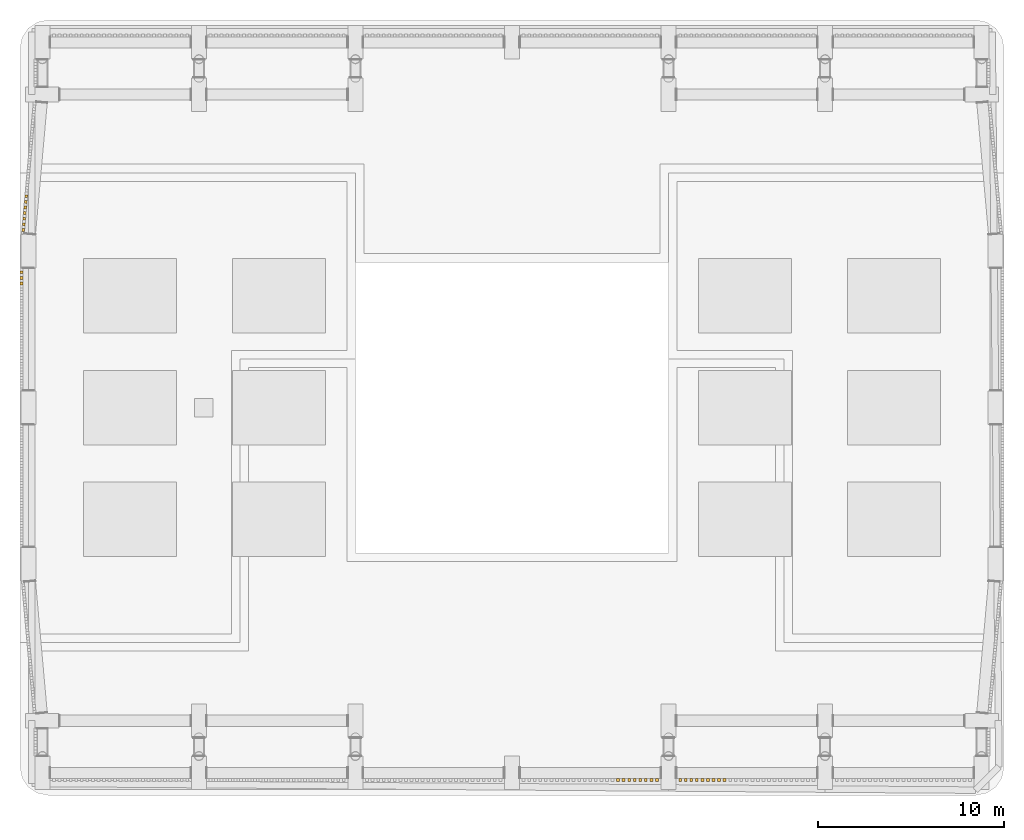
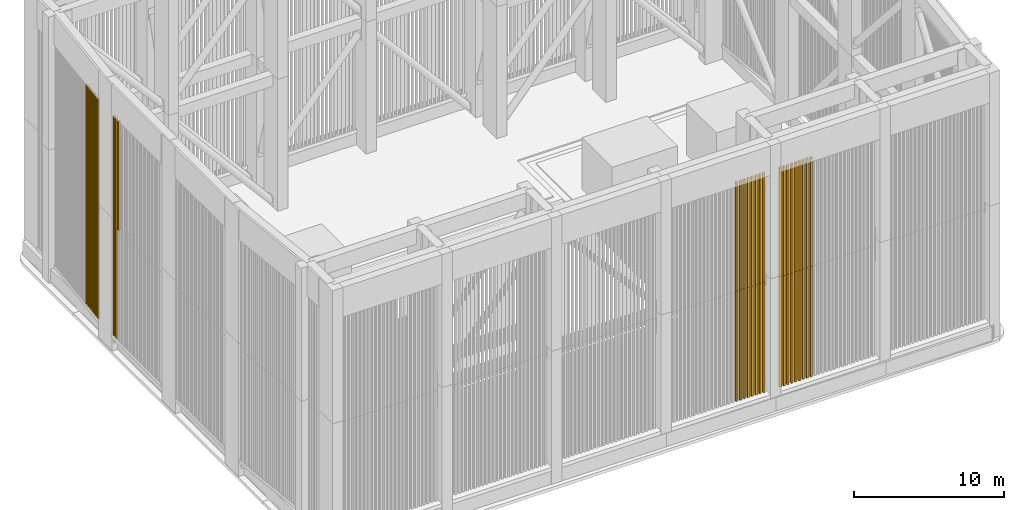
# One storey, part 15 of 27: 53 shading devices.
"""IFC4 building model written with IfcOpenShell, lengths in metres."""

from ifc_helpers import new_model, si_unit, direction, frame, origin, origin_2d, place, context, subcontext, project, spatial, rectangle, extrude, material, type_object, element, save


model = new_model("IFC4")

# Units and contexts
model_context = context("Model", 3, precision=1e-05, world=origin(), true_north=direction((0.0, 1.0)))
body_context = subcontext(model_context, "Body", "Model", "MODEL_VIEW")
ifc_project = project(units=[si_unit("LENGTHUNIT", "METRE"), si_unit("AREAUNIT", "SQUARE_METRE"), si_unit("VOLUMEUNIT", "CUBIC_METRE"), si_unit("PLANEANGLEUNIT", "RADIAN"), si_unit("MASSUNIT", "GRAM", prefix="KILO")], contexts=[model_context])

# Site, building, storey
site_placement = place(None, origin())
site = spatial("IfcSite", under=ifc_project, at=site_placement, CompositionType="ELEMENT")
building_placement = place(site_placement, origin())
building = spatial("IfcBuilding", under=site, at=building_placement, Name="Claustro Exchange Tower", CompositionType="ELEMENT")
storey_placement = place(building_placement, frame((0.0, 0.0, 287.10009765625)))
storey = spatial("IfcBuildingStorey", under=building, at=storey_placement, Name="ROOF", CompositionType="ELEMENT", Elevation=287.10009765625)

# Shading devices
ifc_material = material(Name="Concrete HA-40 (C40/50), precast, white cement, acid-etched", Category="concrete")
shading_device_type = type_object("IfcShadingDeviceType", Name="LV1 150 x 150 precast concrete crown louvre", PredefinedType="USERDEFINED", material=ifc_material)
shading_device_1_placement = place(storey_placement, frame((30.89013671875, 5.224609375, 1.39990234375), z_axis=(0.0, 0.0, 1.0), x_axis=(1.0, 0.0, 0.0)))
element("IfcShadingDevice", 1, at=shading_device_1_placement, inside=storey, type_object=shading_device_type, Name="CROWN LOUVRE LV1 4/A+5600 - 5/A+5600 18 lower", ObjectType="CROWN LOUVRE", PredefinedType="USERDEFINED", context=body_context, shape_type="SweptSolid", body=[
    extrude(rectangle(XDim=0.14990234375, YDim=0.14990234375, at=origin_2d()), origin(), (0.0, 0.0, 1.0), 8.949951171875),
])
shading_device_2_placement = place(storey_placement, frame((30.89013671875, 5.224609375, 10.349853515625), z_axis=(0.0, 0.0, 1.0), x_axis=(1.0, 0.0, 0.0)))
element("IfcShadingDevice", 2, at=shading_device_2_placement, inside=storey, type_object=shading_device_type, Name="CROWN LOUVRE LV1 4/A+5600 - 5/A+5600 18 upper", ObjectType="CROWN LOUVRE", PredefinedType="USERDEFINED", context=body_context, shape_type="SweptSolid", body=[
    extrude(rectangle(XDim=0.14990234375, YDim=0.14990234375, at=origin_2d()), origin(), (0.0, 0.0, 1.0), 8.85009765625),
])
shading_device_3_placement = place(storey_placement, frame((31.188232421875, 5.224609375, 1.39990234375), z_axis=(0.0, 0.0, 1.0), x_axis=(1.0, 0.0, 0.0)))
element("IfcShadingDevice", 3, at=shading_device_3_placement, inside=storey, type_object=shading_device_type, Name="CROWN LOUVRE LV1 4/A+5600 - 5/A+5600 19 lower", ObjectType="CROWN LOUVRE", PredefinedType="USERDEFINED", context=body_context, shape_type="SweptSolid", body=[
    extrude(rectangle(XDim=0.14990234375, YDim=0.14990234375, at=origin_2d()), origin(), (0.0, 0.0, 1.0), 8.949951171875),
])
shading_device_4_placement = place(storey_placement, frame((31.188232421875, 5.224609375, 10.349853515625), z_axis=(0.0, 0.0, 1.0), x_axis=(1.0, 0.0, 0.0)))
element("IfcShadingDevice", 4, at=shading_device_4_placement, inside=storey, type_object=shading_device_type, Name="CROWN LOUVRE LV1 4/A+5600 - 5/A+5600 19 upper", ObjectType="CROWN LOUVRE", PredefinedType="USERDEFINED", context=body_context, shape_type="SweptSolid", body=[
    extrude(rectangle(XDim=0.14990234375, YDim=0.14990234375, at=origin_2d()), origin(), (0.0, 0.0, 1.0), 8.85009765625),
])
shading_device_5_placement = place(storey_placement, frame((31.486328125, 5.224609375, 1.39990234375), z_axis=(0.0, 0.0, 1.0), x_axis=(1.0, 0.0, 0.0)))
element("IfcShadingDevice", 5, at=shading_device_5_placement, inside=storey, type_object=shading_device_type, Name="CROWN LOUVRE LV1 4/A+5600 - 5/A+5600 20 lower", ObjectType="CROWN LOUVRE", PredefinedType="USERDEFINED", context=body_context, shape_type="SweptSolid", body=[
    extrude(rectangle(XDim=0.14990234375, YDim=0.14990234375, at=origin_2d()), origin(), (0.0, 0.0, 1.0), 8.949951171875),
])
shading_device_6_placement = place(storey_placement, frame((31.486328125, 5.224609375, 10.349853515625), z_axis=(0.0, 0.0, 1.0), x_axis=(1.0, 0.0, 0.0)))
element("IfcShadingDevice", 6, at=shading_device_6_placement, inside=storey, type_object=shading_device_type, Name="CROWN LOUVRE LV1 4/A+5600 - 5/A+5600 20 upper", ObjectType="CROWN LOUVRE", PredefinedType="USERDEFINED", context=body_context, shape_type="SweptSolid", body=[
    extrude(rectangle(XDim=0.14990234375, YDim=0.14990234375, at=origin_2d()), origin(), (0.0, 0.0, 1.0), 8.85009765625),
])
shading_device_7_placement = place(storey_placement, frame((31.7841796875, 5.224609375, 1.39990234375), z_axis=(0.0, 0.0, 1.0), x_axis=(1.0, 0.0, 0.0)))
element("IfcShadingDevice", 7, at=shading_device_7_placement, inside=storey, type_object=shading_device_type, Name="CROWN LOUVRE LV1 4/A+5600 - 5/A+5600 21 lower", ObjectType="CROWN LOUVRE", PredefinedType="USERDEFINED", context=body_context, shape_type="SweptSolid", body=[
    extrude(rectangle(XDim=0.14990234375, YDim=0.14990234375, at=origin_2d()), origin(), (0.0, 0.0, 1.0), 8.949951171875),
])
shading_device_8_placement = place(storey_placement, frame((31.7841796875, 5.224609375, 10.349853515625), z_axis=(0.0, 0.0, 1.0), x_axis=(1.0, 0.0, 0.0)))
element("IfcShadingDevice", 8, at=shading_device_8_placement, inside=storey, type_object=shading_device_type, Name="CROWN LOUVRE LV1 4/A+5600 - 5/A+5600 21 upper", ObjectType="CROWN LOUVRE", PredefinedType="USERDEFINED", context=body_context, shape_type="SweptSolid", body=[
    extrude(rectangle(XDim=0.14990234375, YDim=0.14990234375, at=origin_2d()), origin(), (0.0, 0.0, 1.0), 8.85009765625),
])
shading_device_9_placement = place(storey_placement, frame((32.082275390625, 5.224609375, 1.39990234375), z_axis=(0.0, 0.0, 1.0), x_axis=(1.0, 0.0, 0.0)))
element("IfcShadingDevice", 9, at=shading_device_9_placement, inside=storey, type_object=shading_device_type, Name="CROWN LOUVRE LV1 4/A+5600 - 5/A+5600 22 lower", ObjectType="CROWN LOUVRE", PredefinedType="USERDEFINED", context=body_context, shape_type="SweptSolid", body=[
    extrude(rectangle(XDim=0.14990234375, YDim=0.14990234375, at=origin_2d()), origin(), (0.0, 0.0, 1.0), 8.949951171875),
])
shading_device_10_placement = place(storey_placement, frame((32.082275390625, 5.224609375, 10.349853515625), z_axis=(0.0, 0.0, 1.0), x_axis=(1.0, 0.0, 0.0)))
element("IfcShadingDevice", 10, at=shading_device_10_placement, inside=storey, type_object=shading_device_type, Name="CROWN LOUVRE LV1 4/A+5600 - 5/A+5600 22 upper", ObjectType="CROWN LOUVRE", PredefinedType="USERDEFINED", context=body_context, shape_type="SweptSolid", body=[
    extrude(rectangle(XDim=0.14990234375, YDim=0.14990234375, at=origin_2d()), origin(), (0.0, 0.0, 1.0), 8.85009765625),
])
shading_device_11_placement = place(storey_placement, frame((32.38037109375, 5.224609375, 1.39990234375), z_axis=(0.0, 0.0, 1.0), x_axis=(1.0, 0.0, 0.0)))
element("IfcShadingDevice", 11, at=shading_device_11_placement, inside=storey, type_object=shading_device_type, Name="CROWN LOUVRE LV1 4/A+5600 - 5/A+5600 23 lower", ObjectType="CROWN LOUVRE", PredefinedType="USERDEFINED", context=body_context, shape_type="SweptSolid", body=[
    extrude(rectangle(XDim=0.14990234375, YDim=0.14990234375, at=origin_2d()), origin(), (0.0, 0.0, 1.0), 8.949951171875),
])
shading_device_12_placement = place(storey_placement, frame((32.38037109375, 5.224609375, 10.349853515625), z_axis=(0.0, 0.0, 1.0), x_axis=(1.0, 0.0, 0.0)))
element("IfcShadingDevice", 12, at=shading_device_12_placement, inside=storey, type_object=shading_device_type, Name="CROWN LOUVRE LV1 4/A+5600 - 5/A+5600 23 upper", ObjectType="CROWN LOUVRE", PredefinedType="USERDEFINED", context=body_context, shape_type="SweptSolid", body=[
    extrude(rectangle(XDim=0.14990234375, YDim=0.14990234375, at=origin_2d()), origin(), (0.0, 0.0, 1.0), 8.85009765625),
])
shading_device_13_placement = place(storey_placement, frame((32.678466796875, 5.224609375, 1.39990234375), z_axis=(0.0, 0.0, 1.0), x_axis=(1.0, 0.0, 0.0)))
element("IfcShadingDevice", 13, at=shading_device_13_placement, inside=storey, type_object=shading_device_type, Name="CROWN LOUVRE LV1 4/A+5600 - 5/A+5600 24 lower", ObjectType="CROWN LOUVRE", PredefinedType="USERDEFINED", context=body_context, shape_type="SweptSolid", body=[
    extrude(rectangle(XDim=0.14990234375, YDim=0.14990234375, at=origin_2d()), origin(), (0.0, 0.0, 1.0), 8.949951171875),
])
shading_device_14_placement = place(storey_placement, frame((32.678466796875, 5.224609375, 10.349853515625), z_axis=(0.0, 0.0, 1.0), x_axis=(1.0, 0.0, 0.0)))
element("IfcShadingDevice", 14, at=shading_device_14_placement, inside=storey, type_object=shading_device_type, Name="CROWN LOUVRE LV1 4/A+5600 - 5/A+5600 24 upper", ObjectType="CROWN LOUVRE", PredefinedType="USERDEFINED", context=body_context, shape_type="SweptSolid", body=[
    extrude(rectangle(XDim=0.14990234375, YDim=0.14990234375, at=origin_2d()), origin(), (0.0, 0.0, 1.0), 8.85009765625),
])
shading_device_15_placement = place(storey_placement, frame((32.9765625, 5.224609375, 1.39990234375), z_axis=(0.0, 0.0, 1.0), x_axis=(1.0, 0.0, 0.0)))
element("IfcShadingDevice", 15, at=shading_device_15_placement, inside=storey, type_object=shading_device_type, Name="CROWN LOUVRE LV1 4/A+5600 - 5/A+5600 25 lower", ObjectType="CROWN LOUVRE", PredefinedType="USERDEFINED", context=body_context, shape_type="SweptSolid", body=[
    extrude(rectangle(XDim=0.14990234375, YDim=0.14990234375, at=origin_2d()), origin(), (0.0, 0.0, 1.0), 8.949951171875),
])
shading_device_16_placement = place(storey_placement, frame((32.9765625, 5.224609375, 10.349853515625), z_axis=(0.0, 0.0, 1.0), x_axis=(1.0, 0.0, 0.0)))
element("IfcShadingDevice", 16, at=shading_device_16_placement, inside=storey, type_object=shading_device_type, Name="CROWN LOUVRE LV1 4/A+5600 - 5/A+5600 25 upper", ObjectType="CROWN LOUVRE", PredefinedType="USERDEFINED", context=body_context, shape_type="SweptSolid", body=[
    extrude(rectangle(XDim=0.14990234375, YDim=0.14990234375, at=origin_2d()), origin(), (0.0, 0.0, 1.0), 8.85009765625),
])
shading_device_17_placement = place(storey_placement, frame((34.223388671875, 5.224609375, 1.39990234375), z_axis=(0.0, 0.0, 1.0), x_axis=(1.0, 0.0, 0.0)))
element("IfcShadingDevice", 17, at=shading_device_17_placement, inside=storey, type_object=shading_device_type, Name="CROWN LOUVRE LV1 5/A+5600 - 6/A+5600 01 lower", ObjectType="CROWN LOUVRE", PredefinedType="USERDEFINED", context=body_context, shape_type="SweptSolid", body=[
    extrude(rectangle(XDim=0.14990234375, YDim=0.14990234375, at=origin_2d()), origin(), (0.0, 0.0, 1.0), 8.949951171875),
])
shading_device_18_placement = place(storey_placement, frame((34.223388671875, 5.224609375, 10.349853515625), z_axis=(0.0, 0.0, 1.0), x_axis=(1.0, 0.0, 0.0)))
element("IfcShadingDevice", 18, at=shading_device_18_placement, inside=storey, type_object=shading_device_type, Name="CROWN LOUVRE LV1 5/A+5600 - 6/A+5600 01 upper", ObjectType="CROWN LOUVRE", PredefinedType="USERDEFINED", context=body_context, shape_type="SweptSolid", body=[
    extrude(rectangle(XDim=0.14990234375, YDim=0.14990234375, at=origin_2d()), origin(), (0.0, 0.0, 1.0), 8.85009765625),
])
shading_device_19_placement = place(storey_placement, frame((34.521484375, 5.224609375, 1.39990234375), z_axis=(0.0, 0.0, 1.0), x_axis=(1.0, 0.0, 0.0)))
element("IfcShadingDevice", 19, at=shading_device_19_placement, inside=storey, type_object=shading_device_type, Name="CROWN LOUVRE LV1 5/A+5600 - 6/A+5600 02 lower", ObjectType="CROWN LOUVRE", PredefinedType="USERDEFINED", context=body_context, shape_type="SweptSolid", body=[
    extrude(rectangle(XDim=0.14990234375, YDim=0.14990234375, at=origin_2d()), origin(), (0.0, 0.0, 1.0), 8.949951171875),
])
shading_device_20_placement = place(storey_placement, frame((34.521484375, 5.224609375, 10.349853515625), z_axis=(0.0, 0.0, 1.0), x_axis=(1.0, 0.0, 0.0)))
element("IfcShadingDevice", 20, at=shading_device_20_placement, inside=storey, type_object=shading_device_type, Name="CROWN LOUVRE LV1 5/A+5600 - 6/A+5600 02 upper", ObjectType="CROWN LOUVRE", PredefinedType="USERDEFINED", context=body_context, shape_type="SweptSolid", body=[
    extrude(rectangle(XDim=0.14990234375, YDim=0.14990234375, at=origin_2d()), origin(), (0.0, 0.0, 1.0), 8.85009765625),
])
shading_device_21_placement = place(storey_placement, frame((34.819580078125, 5.224609375, 1.39990234375), z_axis=(0.0, 0.0, 1.0), x_axis=(1.0, 0.0, 0.0)))
element("IfcShadingDevice", 21, at=shading_device_21_placement, inside=storey, type_object=shading_device_type, Name="CROWN LOUVRE LV1 5/A+5600 - 6/A+5600 03 lower", ObjectType="CROWN LOUVRE", PredefinedType="USERDEFINED", context=body_context, shape_type="SweptSolid", body=[
    extrude(rectangle(XDim=0.14990234375, YDim=0.14990234375, at=origin_2d()), origin(), (0.0, 0.0, 1.0), 8.949951171875),
])
shading_device_22_placement = place(storey_placement, frame((34.819580078125, 5.224609375, 10.349853515625), z_axis=(0.0, 0.0, 1.0), x_axis=(1.0, 0.0, 0.0)))
element("IfcShadingDevice", 22, at=shading_device_22_placement, inside=storey, type_object=shading_device_type, Name="CROWN LOUVRE LV1 5/A+5600 - 6/A+5600 03 upper", ObjectType="CROWN LOUVRE", PredefinedType="USERDEFINED", context=body_context, shape_type="SweptSolid", body=[
    extrude(rectangle(XDim=0.14990234375, YDim=0.14990234375, at=origin_2d()), origin(), (0.0, 0.0, 1.0), 8.85009765625),
])
shading_device_23_placement = place(storey_placement, frame((35.11767578125, 5.224609375, 1.39990234375), z_axis=(0.0, 0.0, 1.0), x_axis=(1.0, 0.0, 0.0)))
element("IfcShadingDevice", 23, at=shading_device_23_placement, inside=storey, type_object=shading_device_type, Name="CROWN LOUVRE LV1 5/A+5600 - 6/A+5600 04 lower", ObjectType="CROWN LOUVRE", PredefinedType="USERDEFINED", context=body_context, shape_type="SweptSolid", body=[
    extrude(rectangle(XDim=0.14990234375, YDim=0.14990234375, at=origin_2d()), origin(), (0.0, 0.0, 1.0), 8.949951171875),
])
shading_device_24_placement = place(storey_placement, frame((35.11767578125, 5.224609375, 10.349853515625), z_axis=(0.0, 0.0, 1.0), x_axis=(1.0, 0.0, 0.0)))
element("IfcShadingDevice", 24, at=shading_device_24_placement, inside=storey, type_object=shading_device_type, Name="CROWN LOUVRE LV1 5/A+5600 - 6/A+5600 04 upper", ObjectType="CROWN LOUVRE", PredefinedType="USERDEFINED", context=body_context, shape_type="SweptSolid", body=[
    extrude(rectangle(XDim=0.14990234375, YDim=0.14990234375, at=origin_2d()), origin(), (0.0, 0.0, 1.0), 8.85009765625),
])
shading_device_25_placement = place(storey_placement, frame((35.415771484375, 5.224609375, 1.39990234375), z_axis=(0.0, 0.0, 1.0), x_axis=(1.0, 0.0, 0.0)))
element("IfcShadingDevice", 25, at=shading_device_25_placement, inside=storey, type_object=shading_device_type, Name="CROWN LOUVRE LV1 5/A+5600 - 6/A+5600 05 lower", ObjectType="CROWN LOUVRE", PredefinedType="USERDEFINED", context=body_context, shape_type="SweptSolid", body=[
    extrude(rectangle(XDim=0.14990234375, YDim=0.14990234375, at=origin_2d()), origin(), (0.0, 0.0, 1.0), 8.949951171875),
])
shading_device_26_placement = place(storey_placement, frame((35.415771484375, 5.224609375, 10.349853515625), z_axis=(0.0, 0.0, 1.0), x_axis=(1.0, 0.0, 0.0)))
element("IfcShadingDevice", 26, at=shading_device_26_placement, inside=storey, type_object=shading_device_type, Name="CROWN LOUVRE LV1 5/A+5600 - 6/A+5600 05 upper", ObjectType="CROWN LOUVRE", PredefinedType="USERDEFINED", context=body_context, shape_type="SweptSolid", body=[
    extrude(rectangle(XDim=0.14990234375, YDim=0.14990234375, at=origin_2d()), origin(), (0.0, 0.0, 1.0), 8.85009765625),
])
shading_device_27_placement = place(storey_placement, frame((35.713623046875, 5.224609375, 1.39990234375), z_axis=(0.0, 0.0, 1.0), x_axis=(1.0, 0.0, 0.0)))
element("IfcShadingDevice", 27, at=shading_device_27_placement, inside=storey, type_object=shading_device_type, Name="CROWN LOUVRE LV1 5/A+5600 - 6/A+5600 06 lower", ObjectType="CROWN LOUVRE", PredefinedType="USERDEFINED", context=body_context, shape_type="SweptSolid", body=[
    extrude(rectangle(XDim=0.14990234375, YDim=0.14990234375, at=origin_2d()), origin(), (0.0, 0.0, 1.0), 8.949951171875),
])
shading_device_28_placement = place(storey_placement, frame((35.713623046875, 5.224609375, 10.349853515625), z_axis=(0.0, 0.0, 1.0), x_axis=(1.0, 0.0, 0.0)))
element("IfcShadingDevice", 28, at=shading_device_28_placement, inside=storey, type_object=shading_device_type, Name="CROWN LOUVRE LV1 5/A+5600 - 6/A+5600 06 upper", ObjectType="CROWN LOUVRE", PredefinedType="USERDEFINED", context=body_context, shape_type="SweptSolid", body=[
    extrude(rectangle(XDim=0.14990234375, YDim=0.14990234375, at=origin_2d()), origin(), (0.0, 0.0, 1.0), 8.85009765625),
])
shading_device_29_placement = place(storey_placement, frame((36.01171875, 5.224609375, 1.39990234375), z_axis=(0.0, 0.0, 1.0), x_axis=(1.0, 0.0, 0.0)))
element("IfcShadingDevice", 29, at=shading_device_29_placement, inside=storey, type_object=shading_device_type, Name="CROWN LOUVRE LV1 5/A+5600 - 6/A+5600 07 lower", ObjectType="CROWN LOUVRE", PredefinedType="USERDEFINED", context=body_context, shape_type="SweptSolid", body=[
    extrude(rectangle(XDim=0.14990234375, YDim=0.14990234375, at=origin_2d()), origin(), (0.0, 0.0, 1.0), 8.949951171875),
])
shading_device_30_placement = place(storey_placement, frame((36.01171875, 5.224609375, 10.349853515625), z_axis=(0.0, 0.0, 1.0), x_axis=(1.0, 0.0, 0.0)))
element("IfcShadingDevice", 30, at=shading_device_30_placement, inside=storey, type_object=shading_device_type, Name="CROWN LOUVRE LV1 5/A+5600 - 6/A+5600 07 upper", ObjectType="CROWN LOUVRE", PredefinedType="USERDEFINED", context=body_context, shape_type="SweptSolid", body=[
    extrude(rectangle(XDim=0.14990234375, YDim=0.14990234375, at=origin_2d()), origin(), (0.0, 0.0, 1.0), 8.85009765625),
])
shading_device_31_placement = place(storey_placement, frame((36.309814453125, 5.224609375, 1.39990234375), z_axis=(0.0, 0.0, 1.0), x_axis=(1.0, 0.0, 0.0)))
element("IfcShadingDevice", 31, at=shading_device_31_placement, inside=storey, type_object=shading_device_type, Name="CROWN LOUVRE LV1 5/A+5600 - 6/A+5600 08 lower", ObjectType="CROWN LOUVRE", PredefinedType="USERDEFINED", context=body_context, shape_type="SweptSolid", body=[
    extrude(rectangle(XDim=0.14990234375, YDim=0.14990234375, at=origin_2d()), origin(), (0.0, 0.0, 1.0), 8.949951171875),
])
shading_device_32_placement = place(storey_placement, frame((36.309814453125, 5.224609375, 10.349853515625), z_axis=(0.0, 0.0, 1.0), x_axis=(1.0, 0.0, 0.0)))
element("IfcShadingDevice", 32, at=shading_device_32_placement, inside=storey, type_object=shading_device_type, Name="CROWN LOUVRE LV1 5/A+5600 - 6/A+5600 08 upper", ObjectType="CROWN LOUVRE", PredefinedType="USERDEFINED", context=body_context, shape_type="SweptSolid", body=[
    extrude(rectangle(XDim=0.14990234375, YDim=0.14990234375, at=origin_2d()), origin(), (0.0, 0.0, 1.0), 8.85009765625),
])
shading_device_33_placement = place(storey_placement, frame((36.60791015625, 5.224609375, 1.39990234375), z_axis=(0.0, 0.0, 1.0), x_axis=(1.0, 0.0, 0.0)))
element("IfcShadingDevice", 33, at=shading_device_33_placement, inside=storey, type_object=shading_device_type, Name="CROWN LOUVRE LV1 5/A+5600 - 6/A+5600 09 lower", ObjectType="CROWN LOUVRE", PredefinedType="USERDEFINED", context=body_context, shape_type="SweptSolid", body=[
    extrude(rectangle(XDim=0.14990234375, YDim=0.14990234375, at=origin_2d()), origin(), (0.0, 0.0, 1.0), 8.949951171875),
])
for number, where, z_axis, x_axis, name in (
    (34, (36.60791015625, 5.224609375, 10.349853515625), (0.0, 0.0, 1.0), (1.0, 0.0, 0.0), "CROWN LOUVRE LV1 5/A+5600 - 6/A+5600 09 upper"),
    (35, (-1.12548828125, 31.854248046875, 10.349853515625), (0.0, 0.0, 1.0), (0.0, 1.0, 0.0), "CROWN LOUVRE LV1 1+-750/D - 1+-750/E 19 upper"),
):
    element("IfcShadingDevice", number, at=place(storey_placement, frame(where, z_axis=z_axis, x_axis=x_axis)), inside=storey, type_object=shading_device_type, Name=name, ObjectType="CROWN LOUVRE", PredefinedType="USERDEFINED", context=body_context, shape_type="SweptSolid", body=[
        extrude(rectangle(XDim=0.14990234375, YDim=0.14990234375, at=origin_2d()), origin(), (0.0, 0.0, 1.0), 8.85009765625),
    ])
shading_device_34_placement = place(storey_placement, frame((-1.12548828125, 32.160888671875, 1.39990234375), z_axis=(0.0, 0.0, 1.0), x_axis=(0.0, 1.0, 0.0)))
element("IfcShadingDevice", 36, at=shading_device_34_placement, inside=storey, type_object=shading_device_type, Name="CROWN LOUVRE LV1 1+-750/D - 1+-750/E 20 lower", ObjectType="CROWN LOUVRE", PredefinedType="USERDEFINED", context=body_context, shape_type="SweptSolid", body=[
    extrude(rectangle(XDim=0.14990234375, YDim=0.14990234375, at=origin_2d()), origin(), (0.0, 0.0, 1.0), 8.949951171875),
])
shading_device_35_placement = place(storey_placement, frame((-1.12548828125, 32.160888671875, 10.349853515625), z_axis=(0.0, 0.0, 1.0), x_axis=(0.0, 1.0, 0.0)))
element("IfcShadingDevice", 37, at=shading_device_35_placement, inside=storey, type_object=shading_device_type, Name="CROWN LOUVRE LV1 1+-750/D - 1+-750/E 20 upper", ObjectType="CROWN LOUVRE", PredefinedType="USERDEFINED", context=body_context, shape_type="SweptSolid", body=[
    extrude(rectangle(XDim=0.14990234375, YDim=0.14990234375, at=origin_2d()), origin(), (0.0, 0.0, 1.0), 8.85009765625),
])
shading_device_36_placement = place(storey_placement, frame((-1.12548828125, 32.4677734375, 1.39990234375), z_axis=(0.0, 0.0, 1.0), x_axis=(0.0, 1.0, 0.0)))
element("IfcShadingDevice", 38, at=shading_device_36_placement, inside=storey, type_object=shading_device_type, Name="CROWN LOUVRE LV1 1+-750/D - 1+-750/E 21 lower", ObjectType="CROWN LOUVRE", PredefinedType="USERDEFINED", context=body_context, shape_type="SweptSolid", body=[
    extrude(rectangle(XDim=0.14990234375, YDim=0.14990234375, at=origin_2d()), origin(), (0.0, 0.0, 1.0), 8.949951171875),
])
shading_device_37_placement = place(storey_placement, frame((-1.12548828125, 32.4677734375, 10.349853515625), z_axis=(0.0, 0.0, 1.0), x_axis=(0.0, 1.0, 0.0)))
element("IfcShadingDevice", 39, at=shading_device_37_placement, inside=storey, type_object=shading_device_type, Name="CROWN LOUVRE LV1 1+-750/D - 1+-750/E 21 upper", ObjectType="CROWN LOUVRE", PredefinedType="USERDEFINED", context=body_context, shape_type="SweptSolid", body=[
    extrude(rectangle(XDim=0.14990234375, YDim=0.14990234375, at=origin_2d()), origin(), (0.0, 0.0, 1.0), 8.85009765625),
])
shading_device_38_placement = place(storey_placement, frame((-1.02587890625, 34.73388671875, 1.39990234375), z_axis=(0.0, 0.0, 1.0), x_axis=(0.088932542032, 0.996037651381, 0.0)))
element("IfcShadingDevice", 40, at=shading_device_38_placement, inside=storey, type_object=shading_device_type, Name="CROWN LOUVRE LV1 1+-750/E - 1/F 01 lower", ObjectType="CROWN LOUVRE", PredefinedType="USERDEFINED", context=body_context, shape_type="SweptSolid", body=[
    extrude(rectangle(XDim=0.14990234375, YDim=0.14990234375, at=origin_2d()), origin(), (0.0, 0.0, 1.0), 8.949951171875),
])
shading_device_39_placement = place(storey_placement, frame((-1.02587890625, 34.73388671875, 10.349853515625), z_axis=(0.0, 0.0, 1.0), x_axis=(0.088932542032, 0.996037651381, 0.0)))
element("IfcShadingDevice", 41, at=shading_device_39_placement, inside=storey, type_object=shading_device_type, Name="CROWN LOUVRE LV1 1+-750/E - 1/F 01 upper", ObjectType="CROWN LOUVRE", PredefinedType="USERDEFINED", context=body_context, shape_type="SweptSolid", body=[
    extrude(rectangle(XDim=0.14990234375, YDim=0.14990234375, at=origin_2d()), origin(), (0.0, 0.0, 1.0), 8.85009765625),
])
shading_device_40_placement = place(storey_placement, frame((-0.998779296875, 35.035400390625, 1.39990234375), z_axis=(0.0, 0.0, 1.0), x_axis=(0.088932542032, 0.996037651381, 0.0)))
element("IfcShadingDevice", 42, at=shading_device_40_placement, inside=storey, type_object=shading_device_type, Name="CROWN LOUVRE LV1 1+-750/E - 1/F 02 lower", ObjectType="CROWN LOUVRE", PredefinedType="USERDEFINED", context=body_context, shape_type="SweptSolid", body=[
    extrude(rectangle(XDim=0.14990234375, YDim=0.14990234375, at=origin_2d()), origin(), (0.0, 0.0, 1.0), 8.949951171875),
])
shading_device_41_placement = place(storey_placement, frame((-0.998779296875, 35.035400390625, 10.349853515625), z_axis=(0.0, 0.0, 1.0), x_axis=(0.088932542032, 0.996037651381, 0.0)))
element("IfcShadingDevice", 43, at=shading_device_41_placement, inside=storey, type_object=shading_device_type, Name="CROWN LOUVRE LV1 1+-750/E - 1/F 02 upper", ObjectType="CROWN LOUVRE", PredefinedType="USERDEFINED", context=body_context, shape_type="SweptSolid", body=[
    extrude(rectangle(XDim=0.14990234375, YDim=0.14990234375, at=origin_2d()), origin(), (0.0, 0.0, 1.0), 8.85009765625),
])
shading_device_42_placement = place(storey_placement, frame((-0.971923828125, 35.3369140625, 1.39990234375), z_axis=(0.0, 0.0, 1.0), x_axis=(0.088932542032, 0.996037651381, 0.0)))
element("IfcShadingDevice", 44, at=shading_device_42_placement, inside=storey, type_object=shading_device_type, Name="CROWN LOUVRE LV1 1+-750/E - 1/F 03 lower", ObjectType="CROWN LOUVRE", PredefinedType="USERDEFINED", context=body_context, shape_type="SweptSolid", body=[
    extrude(rectangle(XDim=0.14990234375, YDim=0.14990234375, at=origin_2d()), origin(), (0.0, 0.0, 1.0), 8.949951171875),
])
shading_device_43_placement = place(storey_placement, frame((-0.971923828125, 35.3369140625, 10.349853515625), z_axis=(0.0, 0.0, 1.0), x_axis=(0.088932542032, 0.996037651381, 0.0)))
element("IfcShadingDevice", 45, at=shading_device_43_placement, inside=storey, type_object=shading_device_type, Name="CROWN LOUVRE LV1 1+-750/E - 1/F 03 upper", ObjectType="CROWN LOUVRE", PredefinedType="USERDEFINED", context=body_context, shape_type="SweptSolid", body=[
    extrude(rectangle(XDim=0.14990234375, YDim=0.14990234375, at=origin_2d()), origin(), (0.0, 0.0, 1.0), 8.85009765625),
])
shading_device_44_placement = place(storey_placement, frame((-0.945068359375, 35.63818359375, 1.39990234375), z_axis=(0.0, 0.0, 1.0), x_axis=(0.088932542032, 0.996037651381, 0.0)))
element("IfcShadingDevice", 46, at=shading_device_44_placement, inside=storey, type_object=shading_device_type, Name="CROWN LOUVRE LV1 1+-750/E - 1/F 04 lower", ObjectType="CROWN LOUVRE", PredefinedType="USERDEFINED", context=body_context, shape_type="SweptSolid", body=[
    extrude(rectangle(XDim=0.14990234375, YDim=0.14990234375, at=origin_2d()), origin(), (0.0, 0.0, 1.0), 8.949951171875),
])
shading_device_45_placement = place(storey_placement, frame((-0.945068359375, 35.63818359375, 10.349853515625), z_axis=(0.0, 0.0, 1.0), x_axis=(0.088932542032, 0.996037651381, 0.0)))
element("IfcShadingDevice", 47, at=shading_device_45_placement, inside=storey, type_object=shading_device_type, Name="CROWN LOUVRE LV1 1+-750/E - 1/F 04 upper", ObjectType="CROWN LOUVRE", PredefinedType="USERDEFINED", context=body_context, shape_type="SweptSolid", body=[
    extrude(rectangle(XDim=0.14990234375, YDim=0.14990234375, at=origin_2d()), origin(), (0.0, 0.0, 1.0), 8.85009765625),
])
shading_device_46_placement = place(storey_placement, frame((-0.918212890625, 35.939697265625, 1.39990234375), z_axis=(0.0, 0.0, 1.0), x_axis=(0.088932542032, 0.996037651381, 0.0)))
element("IfcShadingDevice", 48, at=shading_device_46_placement, inside=storey, type_object=shading_device_type, Name="CROWN LOUVRE LV1 1+-750/E - 1/F 05 lower", ObjectType="CROWN LOUVRE", PredefinedType="USERDEFINED", context=body_context, shape_type="SweptSolid", body=[
    extrude(rectangle(XDim=0.14990234375, YDim=0.14990234375, at=origin_2d()), origin(), (0.0, 0.0, 1.0), 8.949951171875),
])
shading_device_47_placement = place(storey_placement, frame((-0.918212890625, 35.939697265625, 10.349853515625), z_axis=(0.0, 0.0, 1.0), x_axis=(0.088932542032, 0.996037651381, 0.0)))
element("IfcShadingDevice", 49, at=shading_device_47_placement, inside=storey, type_object=shading_device_type, Name="CROWN LOUVRE LV1 1+-750/E - 1/F 05 upper", ObjectType="CROWN LOUVRE", PredefinedType="USERDEFINED", context=body_context, shape_type="SweptSolid", body=[
    extrude(rectangle(XDim=0.14990234375, YDim=0.14990234375, at=origin_2d()), origin(), (0.0, 0.0, 1.0), 8.85009765625),
])
shading_device_48_placement = place(storey_placement, frame((-0.89111328125, 36.2412109375, 1.39990234375), z_axis=(0.0, 0.0, 1.0), x_axis=(0.088932542032, 0.996037651381, 0.0)))
element("IfcShadingDevice", 50, at=shading_device_48_placement, inside=storey, type_object=shading_device_type, Name="CROWN LOUVRE LV1 1+-750/E - 1/F 06 lower", ObjectType="CROWN LOUVRE", PredefinedType="USERDEFINED", context=body_context, shape_type="SweptSolid", body=[
    extrude(rectangle(XDim=0.14990234375, YDim=0.14990234375, at=origin_2d()), origin(), (0.0, 0.0, 1.0), 8.949951171875),
])
shading_device_49_placement = place(storey_placement, frame((-0.89111328125, 36.2412109375, 10.349853515625), z_axis=(0.0, 0.0, 1.0), x_axis=(0.088932542032, 0.996037651381, 0.0)))
element("IfcShadingDevice", 51, at=shading_device_49_placement, inside=storey, type_object=shading_device_type, Name="CROWN LOUVRE LV1 1+-750/E - 1/F 06 upper", ObjectType="CROWN LOUVRE", PredefinedType="USERDEFINED", context=body_context, shape_type="SweptSolid", body=[
    extrude(rectangle(XDim=0.14990234375, YDim=0.14990234375, at=origin_2d()), origin(), (0.0, 0.0, 1.0), 8.85009765625),
])
shading_device_50_placement = place(storey_placement, frame((-0.8642578125, 36.542724609375, 1.39990234375), z_axis=(0.0, 0.0, 1.0), x_axis=(0.088932542032, 0.996037651381, 0.0)))
element("IfcShadingDevice", 52, at=shading_device_50_placement, inside=storey, type_object=shading_device_type, Name="CROWN LOUVRE LV1 1+-750/E - 1/F 07 lower", ObjectType="CROWN LOUVRE", PredefinedType="USERDEFINED", context=body_context, shape_type="SweptSolid", body=[
    extrude(rectangle(XDim=0.14990234375, YDim=0.14990234375, at=origin_2d()), origin(), (0.0, 0.0, 1.0), 8.949951171875),
])
shading_device_51_placement = place(storey_placement, frame((-0.8642578125, 36.542724609375, 10.349853515625), z_axis=(0.0, 0.0, 1.0), x_axis=(0.088932542032, 0.996037651381, 0.0)))
element("IfcShadingDevice", 53, at=shading_device_51_placement, inside=storey, type_object=shading_device_type, Name="CROWN LOUVRE LV1 1+-750/E - 1/F 07 upper", ObjectType="CROWN LOUVRE", PredefinedType="USERDEFINED", context=body_context, shape_type="SweptSolid", body=[
    extrude(rectangle(XDim=0.14990234375, YDim=0.14990234375, at=origin_2d()), origin(), (0.0, 0.0, 1.0), 8.85009765625),
])

save(model, "model.ifc")
